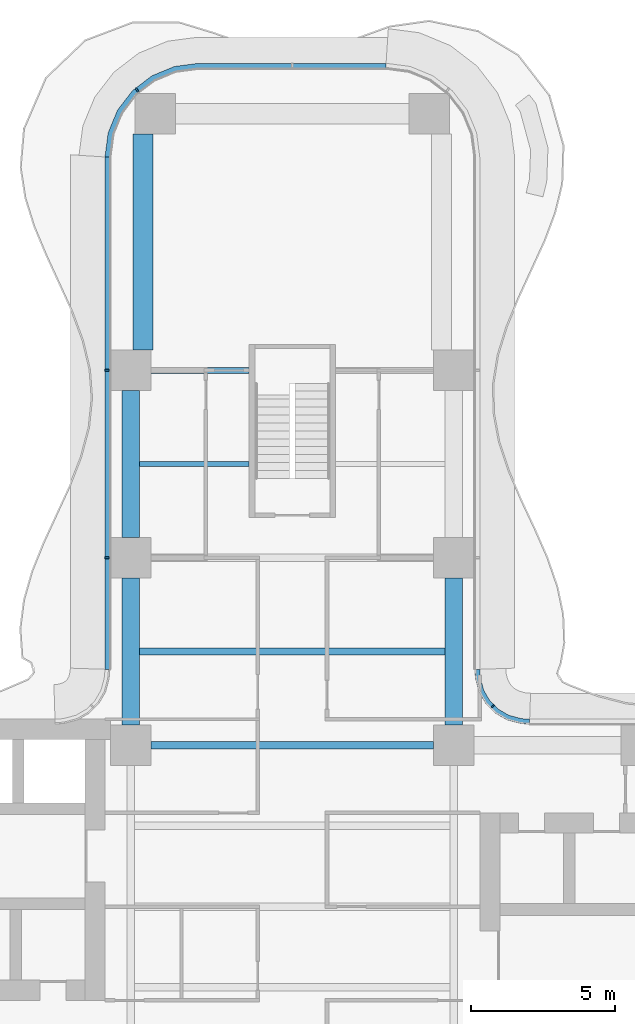
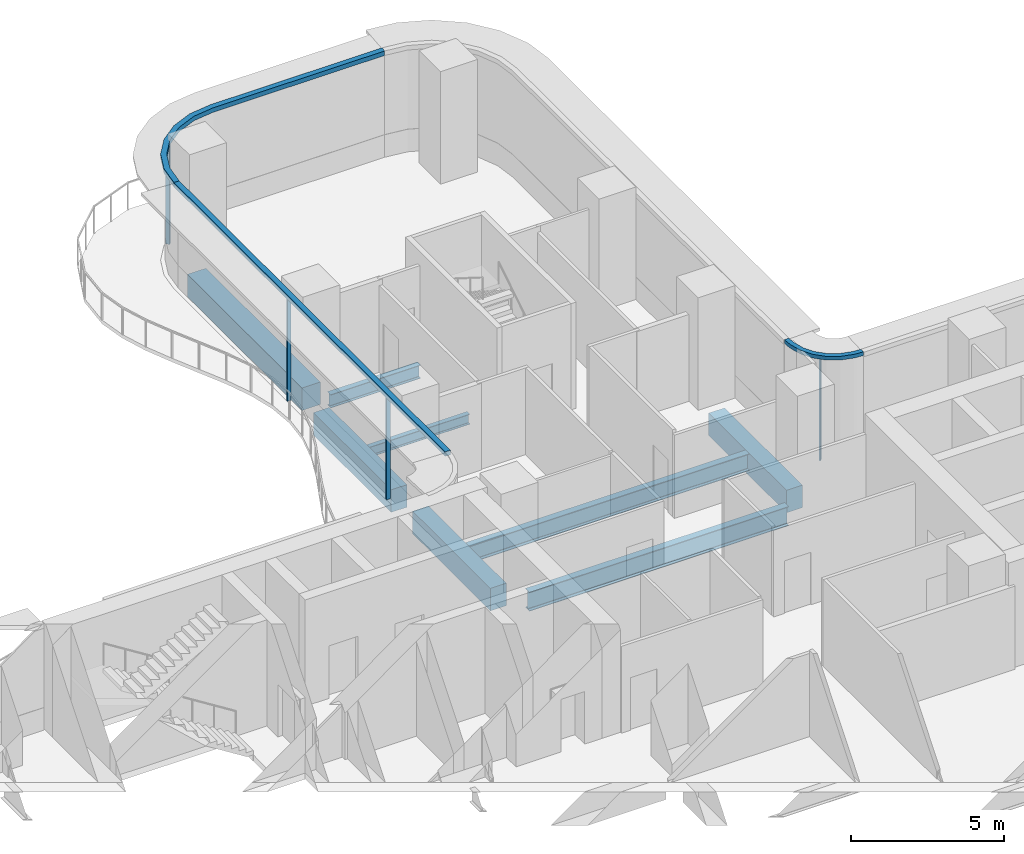
# One storey, part 9 of 22: 8 beams, 7 members, 3 elements without a shape of their own.
"""IFC4 building model written with IfcOpenShell, lengths in metres."""

import ifcopenshell
import ifcopenshell.guid

model = None  # the IFC model being written
_history = None  # IfcOwnerHistory: only IFC2X3 demands one
_inside = {}  # id of a spatial element -> (the spatial element, [elements in it])
_under = {}  # id of a project, library or spatial element -> (it, [spatial elements below it])
_declared = {}  # id of a project -> (the project, [libraries it declares])
_typed = {}  # id of a type object -> (the type object, [elements of that type])
_made_of = {}  # id of a material, layer set ... -> (it, [elements and type objects made of it])


def new_model(schema):
    """Start an empty IFC model of exactly this schema.

    Asked for "IFC4X3", IfcOpenShell would pick the latest addendum, in which some entities
    have other attributes; the version numbers below select the first issue.
    IFC2X3 requires an IfcOwnerHistory on every rooted entity: one is made here for all.
    """
    global model, _history
    if schema == "IFC4X3":
        model = ifcopenshell.file(schema_version=(4, 3, 0, 0))
    else:
        model = ifcopenshell.file(schema=schema)
    _inside.clear()
    _under.clear()
    _declared.clear()
    _typed.clear()
    _made_of.clear()
    _history = None
    if model.schema == "IFC2X3":
        org = make("IfcOrganization", Name="unknown")
        user = make(
            "IfcPersonAndOrganization",
            ThePerson=make("IfcPerson", FamilyName="unknown"),
            TheOrganization=org,
        )
        app = make(
            "IfcApplication",
            ApplicationDeveloper=org,
            Version="unknown",
            ApplicationFullName="unknown",
            ApplicationIdentifier="unknown",
        )
        _history = make(
            "IfcOwnerHistory",
            OwningUser=user,
            OwningApplication=app,
            ChangeAction="ADDED",
            CreationDate=0,
        )
    return model


def make(cls, **values):
    """One entity of the class cls with the attributes given. An attribute that is None is left unset."""
    return model.create_entity(
        cls, **{name: value for name, value in values.items() if value is not None}
    )


def rooted(cls, **values):
    """An entity with a GlobalId (a new one), such as an element, a storey or a relation."""
    return make(cls, GlobalId=ifcopenshell.guid.new(), OwnerHistory=_history, **values)


def si_unit(unit_type, name, prefix=None):
    """IfcSIUnit, for example si_unit("LENGTHUNIT", "METRE", prefix="MILLI")."""
    return make("IfcSIUnit", UnitType=unit_type, Prefix=prefix, Name=name)


def assignment(units):
    """IfcUnitAssignment: the units of a project."""
    return None if units is None else make("IfcUnitAssignment", Units=units)


def point(xyz):
    """IfcCartesianPoint."""
    return None if xyz is None else make("IfcCartesianPoint", Coordinates=xyz)


def direction(xyz):
    """IfcDirection."""
    return None if xyz is None else make("IfcDirection", DirectionRatios=xyz)


def frame(location, z_axis=None, x_axis=None):
    """IfcAxis2Placement3D, a coordinate frame: its origin and axes. An axis left out is left unset."""
    return make(
        "IfcAxis2Placement3D",
        Location=point(location),
        Axis=direction(z_axis),
        RefDirection=direction(x_axis),
    )


def frame_2d(location, x_axis=None):
    """IfcAxis2Placement2D, a coordinate frame in the plane: its origin and x axis."""
    return make(
        "IfcAxis2Placement2D", Location=point(location), RefDirection=direction(x_axis)
    )


def origin():
    """The frame at (0, 0, 0) with its axes left unset."""
    return frame((0.0, 0.0, 0.0))


def origin_2d():
    """The frame at (0, 0) in the plane with its x axis left unset."""
    return frame_2d((0.0, 0.0))


def place(relative_to, where):
    """IfcLocalPlacement: puts the frame where relative to a parent placement (None: the world)."""
    return make(
        "IfcLocalPlacement", PlacementRelTo=relative_to, RelativePlacement=where
    )


def context(
    kind, dimensions, precision=None, world=None, true_north=None, identifier=None
):
    """IfcGeometricRepresentationContext, for example the 3D "Model" context."""
    return make(
        "IfcGeometricRepresentationContext",
        ContextIdentifier=identifier,
        ContextType=kind,
        CoordinateSpaceDimension=dimensions,
        Precision=precision,
        WorldCoordinateSystem=world,
        TrueNorth=true_north,
    )


def subcontext(parent, identifier, kind, view, scale=None):
    """IfcGeometricRepresentationSubContext, for example "Body" below "Model"."""
    return make(
        "IfcGeometricRepresentationSubContext",
        ContextIdentifier=identifier,
        ContextType=kind,
        ParentContext=parent,
        TargetScale=scale,
        TargetView=view,
    )


def project(units=None, contexts=None):
    """IfcProject with its units and contexts."""
    return rooted(
        "IfcProject",
        Name="project",
        RepresentationContexts=contexts,
        UnitsInContext=assignment(units),
    )


def spatial(cls, under=None, at=None, **own):
    """A site, building, storey or space (cls), placed at a placement, below another one or the project."""
    s = rooted(cls, ObjectPlacement=at, **own)
    if under is not None:
        _under.setdefault(under.id(), (under, []))[1].append(s)
    return s


def polyline(points):
    """IfcPolyline through the points."""
    return make("IfcPolyline", Points=[point(p) for p in points])


def profile(cls, at=None, kind="AREA", **sizes):
    """A parametric profile (cls). Its sizes go by their IFC names, for example OverallWidth=200.0."""
    return make(cls, ProfileType=kind, Position=at, **sizes)


def rectangle(**sizes):
    """IfcRectangleProfileDef."""
    return profile("IfcRectangleProfileDef", **sizes)


def i_section(**sizes):
    """IfcIShapeProfileDef."""
    return profile("IfcIShapeProfileDef", **sizes)


def outline(outer, holes=None, kind="AREA"):
    """IfcArbitraryClosedProfileDef: a profile drawn as a closed curve; with holes, ...WithVoids."""
    if holes is None:
        return make("IfcArbitraryClosedProfileDef", ProfileType=kind, OuterCurve=outer)
    return make(
        "IfcArbitraryProfileDefWithVoids",
        ProfileType=kind,
        OuterCurve=outer,
        InnerCurves=holes,
    )


def extrude(swept, where, along, depth):
    """IfcExtrudedAreaSolid: the profile swept, set in the frame where, extruded along a direction by depth."""
    return make(
        "IfcExtrudedAreaSolid",
        SweptArea=swept,
        Position=where,
        ExtrudedDirection=direction(along),
        Depth=depth,
    )


def shape(context_of_items, identifier, shape_type, items):
    """IfcShapeRepresentation: the items that make up one representation, for example the "Body"."""
    return make(
        "IfcShapeRepresentation",
        ContextOfItems=context_of_items,
        RepresentationIdentifier=identifier,
        RepresentationType=shape_type,
        Items=items,
    )


def source(mapping_origin, context_of_items, identifier, shape_type, items):
    """IfcRepresentationMap: a shape defined once, which mapped items show again and again."""
    return make(
        "IfcRepresentationMap",
        MappingOrigin=mapping_origin,
        MappedRepresentation=shape(context_of_items, identifier, shape_type, items),
    )


def transform(
    local_origin,
    x_axis=None,
    y_axis=None,
    z_axis=None,
    scale=None,
    scale2=None,
    scale3=None,
    uniform=True,
):
    """IfcCartesianTransformationOperator3D, or its non-uniform kind. x_axis, y_axis, z_axis: its Axis1, 2, 3."""
    if uniform:
        return make(
            "IfcCartesianTransformationOperator3D",
            Axis1=direction(x_axis),
            Axis2=direction(y_axis),
            LocalOrigin=point(local_origin),
            Scale=scale,
            Axis3=direction(z_axis),
        )
    return make(
        "IfcCartesianTransformationOperator3DnonUniform",
        Axis1=direction(x_axis),
        Axis2=direction(y_axis),
        LocalOrigin=point(local_origin),
        Scale=scale,
        Axis3=direction(z_axis),
        Scale2=scale2,
        Scale3=scale3,
    )


def mapped(mapping_source, mapping_target):
    """IfcMappedItem: shows the shape of a source again, moved by a transform."""
    return make(
        "IfcMappedItem", MappingSource=mapping_source, MappingTarget=mapping_target
    )


def material(Name=None, Category=None):
    """IfcMaterial."""
    return make("IfcMaterial", Name=Name, Category=Category)


def layer(
    of_material, thickness, ventilated=None, Name=None, Category=None, Priority=None
):
    """IfcMaterialLayer: one layer of a wall or slab, of a material (None: an air gap)."""
    return make(
        "IfcMaterialLayer",
        Material=of_material,
        LayerThickness=thickness,
        IsVentilated=ventilated,
        Name=Name,
        Category=Category,
        Priority=Priority,
    )


def layer_set(layers, Name=None):
    """IfcMaterialLayerSet."""
    return make("IfcMaterialLayerSet", MaterialLayers=layers, LayerSetName=Name)


def material_profile(
    of_material, cross_section, Name=None, Category=None, Priority=None
):
    """IfcMaterialProfile: a cross section and its material."""
    return make(
        "IfcMaterialProfile",
        Name=Name,
        Material=of_material,
        Profile=cross_section,
        Priority=Priority,
        Category=Category,
    )


def profile_set(profiles, Name=None, composite=None):
    """IfcMaterialProfileSet."""
    return make(
        "IfcMaterialProfileSet",
        Name=Name,
        MaterialProfiles=profiles,
        CompositeProfile=composite,
    )


def made_of(thing, what):
    """Note that an element or type object is made of a material, layer set ...; save() writes the relation."""
    if what is not None:
        _made_of.setdefault(what.id(), (what, []))[1].append(thing)
    return thing


def type_object(cls, material=None, **own):
    """A type object (cls), such as IfcWallType, which elements share."""
    return made_of(rooted(cls, **own), material)


def element(
    cls,
    number,
    at=None,
    inside=None,
    cuts=None,
    type_object=None,
    material=None,
    context=None,
    identifier="Body",
    shape_type=None,
    held_by="IfcProductDefinitionShape",
    body=None,
    shapes=None,
    **own,
):
    """One element of the class cls, such as IfcWall. Its Tag is "e" and its number.

    at: its placement. inside: the storey or other place that contains it. cuts: it is an
    opening in that element (IfcRelVoidsElement). A single representation is given by context,
    identifier, shape_type and body (its items); several are given by shapes. held_by: the class
    of the entity that holds the representations. save() writes the other relations.
    """
    e = rooted(cls, Tag="e%d" % number, ObjectPlacement=at, **own)
    if body is not None:
        shapes = [shape(context, identifier, shape_type, body)]
    if shapes is not None:
        e.Representation = make(held_by, Representations=shapes)
    if inside is not None:
        _inside.setdefault(inside.id(), (inside, []))[1].append(e)
    if cuts is not None:
        rooted(
            "IfcRelVoidsElement", RelatingBuildingElement=cuts, RelatedOpeningElement=e
        )
    if type_object is not None:
        _typed.setdefault(type_object.id(), (type_object, []))[1].append(e)
    return made_of(e, material)


def aggregate(whole, parts):
    """IfcRelAggregates: a whole, such as a stair, and the parts it consists of."""
    return rooted("IfcRelAggregates", RelatingObject=whole, RelatedObjects=parts)


def save(model, path):
    """Write the relations noted so far, then the file.

    IfcRelAggregates (storeys below a building ...), IfcRelContainedInSpatialStructure (elements
    in a storey), IfcRelDefinesByType, IfcRelAssociatesMaterial and IfcRelDeclares: one each for
    every whole, place, type object, material and project.
    """
    for whole, parts in _under.values():
        aggregate(whole, parts)
    for where, things in _inside.values():
        rooted(
            "IfcRelContainedInSpatialStructure",
            RelatedElements=things,
            RelatingStructure=where,
        )
    for kind, things in _typed.values():
        rooted("IfcRelDefinesByType", RelatedObjects=things, RelatingType=kind)
    for what, things in _made_of.values():
        rooted("IfcRelAssociatesMaterial", RelatedObjects=things, RelatingMaterial=what)
    for by, libraries in _declared.values():
        rooted("IfcRelDeclares", RelatingContext=by, RelatedDefinitions=libraries)
    model.write(path)


model = new_model("IFC4")

# Units and contexts
model_context = context("Model", 3, precision=1e-05, world=origin(), true_north=direction((0.0, 1.0)))
body_context = subcontext(model_context, "Body", "Model", "MODEL_VIEW")
ifc_project = project(units=[si_unit("LENGTHUNIT", "METRE"), si_unit("AREAUNIT", "SQUARE_METRE"), si_unit("VOLUMEUNIT", "CUBIC_METRE"), si_unit("PLANEANGLEUNIT", "RADIAN"), si_unit("MASSUNIT", "GRAM", prefix="KILO")], contexts=[model_context])

# Site, building, storey
site_placement = place(None, origin())
site = spatial("IfcSite", under=ifc_project, at=site_placement, CompositionType="ELEMENT")
building_placement = place(site_placement, origin())
building = spatial("IfcBuilding", under=site, at=building_placement, Name="Trellis Farm Tower", CompositionType="ELEMENT")
storey_placement = place(building_placement, frame((0.0, 0.0, 43.0)))
storey = spatial("IfcBuildingStorey", under=building, at=storey_placement, Name="L08", CompositionType="ELEMENT", Elevation=43.0)

# Beams
ifc_material_1 = material(Name="Steel S355", Category="steel")
ifc_material_profile_1 = material_profile(ifc_material_1, i_section(OverallWidth=0.209228515625, OverallDepth=0.533203125, WebThickness=0.010009765625, FlangeThickness=0.015625, FilletRadius=0.0126953125, at=origin_2d()), Name="UB 533x210x92")
ifc_profile_set_1 = profile_set([ifc_material_profile_1], Name="Steel S355")
beam_type_1 = type_object("IfcBeamType", Name="UB 533x210x92", PredefinedType="BEAM", material=ifc_profile_set_1)
shared_shape_1 = source(origin(), body_context, "Body", "SweptSolid", [
    extrude(i_section(OverallWidth=0.209228515625, OverallDepth=0.533203125, WebThickness=0.010009765625, FlangeThickness=0.015625, FilletRadius=0.0126953125, at=origin_2d()), origin(), (0.0, 0.0, 1.0), 3.39990234375),
])
beam_1_placement = place(storey_placement, frame((-4.89990234375, 18.60009765625, -0.5166015625), z_axis=(1.0, 0.0, 0.0), x_axis=(0.0, 1.0, 0.0)))
element("IfcBeam", 1, at=beam_1_placement, inside=storey, type_object=beam_type_1, Name="Girder", PredefinedType="BEAM", context=body_context, shape_type="MappedRepresentation", body=[
    mapped(shared_shape_1, transform((0.0, 0.0, 0.0))),
])
ifc_material_2 = material(Name="Concrete C60/75", Category="concrete")
ifc_material_profile_2 = material_profile(ifc_material_2, rectangle(XDim=0.60009765625, YDim=0.89990234375, at=origin_2d()), Name="RC spandrel beam 600x900 C60/75")
ifc_profile_set_2 = profile_set([ifc_material_profile_2], Name="Concrete C60/75")
beam_type_2 = type_object("IfcBeamType", Name="RC spandrel beam 600x900 C60/75", PredefinedType="SPANDREL", material=ifc_profile_set_2)
shared_shape_2 = source(origin(), body_context, "Body", "SweptSolid", [
    extrude(rectangle(XDim=0.60009765625, YDim=0.89990234375, at=origin_2d()), origin(), (0.0, 0.0, 1.0), 5.099853515625),
])
for number, where, z_axis, x_axis, name in (
    (2, (-5.60009765625, 6.300048828125, -0.699951171875), (0.0, 1.0, 0.0), (-1.0, 0.0, 0.0), "Girder"),
    (3, (-5.60009765625, 12.800048828125, -0.699951171875), (0.0, 1.0, 0.0), (-1.0, 0.0, 0.0), "Girder"),
    (4, (5.60009765625, 6.300048828125, -0.699951171875), (0.0, 1.0, 0.0), (-1.0, 0.0, 0.0), "Girder"),
):
    element("IfcBeam", number, at=place(storey_placement, frame(where, z_axis=z_axis, x_axis=x_axis)), inside=storey, type_object=beam_type_2, Name=name, PredefinedType="SPANDREL", context=body_context, shape_type="MappedRepresentation", body=[
        mapped(shared_shape_2, transform((0.0, 0.0, 0.0))),
    ])
ifc_material_profile_3 = material_profile(ifc_material_1, i_section(OverallWidth=0.2666015625, OverallDepth=0.76220703125, WebThickness=0.014404296875, FlangeThickness=0.021484375, FilletRadius=0.0166015625, at=origin_2d()), Name="UB 762x267x173")
ifc_profile_set_3 = profile_set([ifc_material_profile_3], Name="Steel S355")
beam_type_3 = type_object("IfcBeamType", Name="UB 762x267x173", PredefinedType="BEAM", material=ifc_profile_set_3)
shared_shape_3 = source(origin(), body_context, "Body", "SweptSolid", [
    extrude(i_section(OverallWidth=0.2666015625, OverallDepth=0.76220703125, WebThickness=0.014404296875, FlangeThickness=0.021484375, FilletRadius=0.0166015625, at=origin_2d()), origin(), (0.0, 0.0, 1.0), 9.7998046875),
])
beam_2_placement = place(storey_placement, frame((-4.89990234375, 5.60009765625, -0.631103515625), z_axis=(1.0, 0.0, 0.0), x_axis=(0.0, 1.0, 0.0)))
element("IfcBeam", 5, at=beam_2_placement, inside=storey, type_object=beam_type_3, Name="Girder", PredefinedType="BEAM", context=body_context, shape_type="MappedRepresentation", body=[
    mapped(shared_shape_3, transform((0.0, 0.0, 0.0))),
])
ifc_material_profile_4 = material_profile(ifc_material_2, rectangle(XDim=0.699951171875, YDim=0.89990234375, at=origin_2d()), Name="RC spandrel beam 700x900 C60/75")
ifc_profile_set_4 = profile_set([ifc_material_profile_4], Name="Concrete C60/75")
beam_type_4 = type_object("IfcBeamType", Name="RC spandrel beam 700x900 C60/75", PredefinedType="SPANDREL", material=ifc_profile_set_4)
shared_shape_4 = source(origin(), body_context, "Body", "SweptSolid", [
    extrude(rectangle(XDim=0.699951171875, YDim=0.89990234375, at=origin_2d()), origin(), (0.0, 0.0, 1.0), 7.5),
])
beam_3_placement = place(storey_placement, frame((-5.175048828125, 19.300048828125, -0.699951171875), z_axis=(0.0, 1.0, 0.0), x_axis=(-1.0, 0.0, 0.0)))
element("IfcBeam", 6, at=beam_3_placement, inside=storey, type_object=beam_type_4, Name="Girder", PredefinedType="SPANDREL", context=body_context, shape_type="MappedRepresentation", body=[
    mapped(shared_shape_4, transform((0.0, 0.0, 0.0))),
])
ifc_material_profile_5 = material_profile(ifc_material_1, i_section(OverallWidth=0.177978515625, OverallDepth=0.406494140625, WebThickness=0.0078125, FlangeThickness=0.0126953125, FilletRadius=0.01025390625, at=origin_2d()), Name="UB 406x178x60")
ifc_profile_set_5 = profile_set([ifc_material_profile_5], Name="Steel S355")
beam_type_5 = type_object("IfcBeamType", Name="UB 406x178x60 joist", PredefinedType="JOIST", material=ifc_profile_set_5)
shared_shape_5 = source(origin(), body_context, "Body", "SweptSolid", [
    extrude(i_section(OverallWidth=0.177978515625, OverallDepth=0.406494140625, WebThickness=0.0078125, FlangeThickness=0.0126953125, FilletRadius=0.01025390625, at=origin_2d()), origin(), (0.0, 0.0, 1.0), 3.800048828125),
])
beam_4_placement = place(storey_placement, frame((-5.300048828125, 15.35009765625, -0.453125), z_axis=(1.0, 0.0, 0.0), x_axis=(0.0, 1.0, 0.0)))
element("IfcBeam", 7, at=beam_4_placement, inside=storey, type_object=beam_type_5, Name="Floor beam", PredefinedType="JOIST", context=body_context, shape_type="MappedRepresentation", body=[
    mapped(shared_shape_5, transform((0.0, 0.0, 0.0))),
])
ifc_material_profile_6 = material_profile(ifc_material_1, i_section(OverallWidth=0.253662109375, OverallDepth=0.68359375, WebThickness=0.012451171875, FlangeThickness=0.021728515625, FilletRadius=0.01513671875, at=origin_2d()), Name="UB 686x254x140")
ifc_profile_set_6 = profile_set([ifc_material_profile_6], Name="Steel S355")
beam_type_6 = type_object("IfcBeamType", Name="UB 686x254x140 joist", PredefinedType="JOIST", material=ifc_profile_set_6)
shared_shape_6 = source(origin(), body_context, "Body", "SweptSolid", [
    extrude(i_section(OverallWidth=0.253662109375, OverallDepth=0.68359375, WebThickness=0.012451171875, FlangeThickness=0.021728515625, FilletRadius=0.01513671875, at=origin_2d()), origin(), (0.0, 0.0, 1.0), 10.60009765625),
])
beam_5_placement = place(storey_placement, frame((-5.300048828125, 8.85009765625, -0.591796875), z_axis=(1.0, 0.0, 0.0), x_axis=(0.0, 1.0, 0.0)))
element("IfcBeam", 8, at=beam_5_placement, inside=storey, type_object=beam_type_6, Name="Floor beam", PredefinedType="JOIST", context=body_context, shape_type="MappedRepresentation", body=[
    mapped(shared_shape_6, transform((0.0, 0.0, 0.0))),
])

# Curtain wall, member
ifc_material_3 = material(Name="Aluminium and glass curtain wall", Category="aluminium")
ifc_layer_1 = layer(ifc_material_3, 0.18994140625)
ifc_layer_set_1 = layer_set([ifc_layer_1], Name="RIBBON CURTAIN WALL CW1")
curtain_wall_type_1 = type_object("IfcCurtainWallType", Name="RIBBON CURTAIN WALL CW1", PredefinedType="NOTDEFINED", material=ifc_layer_set_1)
placement_1 = place(storey_placement, origin())
curtain_wall_1 = element("IfcCurtainWall", 9, at=placement_1, inside=storey, type_object=curtain_wall_type_1, Name="CW1 010", PredefinedType="NOTDEFINED")
ifc_material_4 = material(Name="Aluminium extrusion 6063-T6", Category="aluminium")
ifc_material_profile_7 = material_profile(ifc_material_4, rectangle(XDim=0.06005859375, YDim=0.14990234375, at=origin_2d()), Name="MULLION 60x150")
ifc_profile_set_7 = profile_set([ifc_material_profile_7], Name="Aluminium extrusion 6063-T6")
member_type_1 = type_object("IfcMemberType", Name="CW1 MULLION 60x150", PredefinedType="MULLION", material=ifc_profile_set_7)
shared_shape_7 = source(origin(), body_context, "Body", "SweptSolid", [
    extrude(rectangle(XDim=0.06005859375, YDim=0.14990234375, at=origin_2d()), origin(), (0.0, 0.0, 1.0), 4.070068359375),
])
member_1_placement = place(storey_placement, frame((-5.385498046875, 28.328369140625, 0.0), z_axis=(0.0, 0.0, 1.0), x_axis=(-0.793353340291, -0.608761429009, 0.0)))
member_1 = element("IfcMember", 10, at=member_1_placement, type_object=member_type_1, Name="MU1 010-02", PredefinedType="MULLION", context=body_context, shape_type="MappedRepresentation", body=[
    mapped(shared_shape_7, transform((0.0, 0.0, 0.0))),
])

# Curtain wall, members
curtain_wall_2 = element("IfcCurtainWall", 11, at=placement_1, inside=storey, type_object=curtain_wall_type_1, Name="CW1 011", PredefinedType="NOTDEFINED")
member_2_placement = place(storey_placement, frame((-6.425048828125, 18.60009765625, 0.0), z_axis=(0.0, 0.0, 1.0), x_axis=(0.0, -1.0, 0.0)))
member_2 = element("IfcMember", 12, at=member_2_placement, type_object=member_type_1, Name="MU1 011-01", PredefinedType="MULLION", context=body_context, shape_type="MappedRepresentation", body=[
    mapped(shared_shape_7, transform((0.0, 0.0, 0.0))),
])
member_3_placement = place(storey_placement, frame((-6.425048828125, 12.10009765625, 0.0), z_axis=(0.0, 0.0, 1.0), x_axis=(0.0, -1.0, 0.0)))
member_3 = element("IfcMember", 13, at=member_3_placement, type_object=member_type_1, Name="MU1 011-02", PredefinedType="MULLION", context=body_context, shape_type="MappedRepresentation", body=[
    mapped(shared_shape_7, transform((0.0, 0.0, 0.0))),
])

ifc_layer_2 = layer(ifc_material_3, 0.166015625)
ifc_layer_set_2 = layer_set([ifc_layer_2], Name="WINTER GARDEN CURTAIN WALL CW3")
curtain_wall_type_2 = type_object("IfcCurtainWallType", Name="WINTER GARDEN CURTAIN WALL CW3", PredefinedType="NOTDEFINED", material=ifc_layer_set_2)
curtain_wall_3 = element("IfcCurtainWall", 14, at=placement_1, inside=storey, type_object=curtain_wall_type_2, Name="CW3 003", PredefinedType="NOTDEFINED")
ifc_material_profile_8 = material_profile(ifc_material_4, rectangle(XDim=0.050048828125, YDim=0.1201171875, at=origin_2d()), Name="MULLION 50x120")
ifc_profile_set_8 = profile_set([ifc_material_profile_8], Name="Aluminium extrusion 6063-T6")
member_type_2 = type_object("IfcMemberType", Name="CW3 MULLION 50x120", PredefinedType="MULLION", material=ifc_profile_set_8)
shared_shape_8 = source(origin(), body_context, "Body", "SweptSolid", [
    extrude(rectangle(XDim=0.050048828125, YDim=0.1201171875, at=origin_2d()), origin(), (0.0, 0.0, 1.0), 4.10009765625),
])
member_4_placement = place(storey_placement, frame((6.953125, 6.953125, 0.0), z_axis=(0.0, 0.0, 1.0), x_axis=(-0.707106781187, 0.707106781187, 0.0)))
member_4 = element("IfcMember", 15, at=member_4_placement, type_object=member_type_2, Name="MU3 003-01", PredefinedType="MULLION", context=body_context, shape_type="MappedRepresentation", body=[
    mapped(shared_shape_8, transform((0.0, 0.0, 0.0))),
])
ifc_layer_3 = layer(ifc_material_4, 0.169921875)
ifc_layer_set_3 = layer_set([ifc_layer_3], Name="Aluminium extrusion 6063-T6")
member_type_3 = type_object("IfcMemberType", Name="CW3 TRANSOM 170x150", PredefinedType="USERDEFINED", material=ifc_layer_set_3)
shared_shape_9 = source(origin(), body_context, "Body", "SweptSolid", [
    extrude(outline(polyline([(8.2314453125, 6.5), (8.01953125, 6.513916015625), (7.91552734375, 6.527587890625), (7.508544921875, 6.63671875), (7.144287109375, 6.846923828125), (6.846923828125, 7.144287109375), (6.63671875, 7.508544921875), (6.527587890625, 7.91552734375), (6.513916015625, 8.01953125), (6.5, 8.2314453125), (6.330078125, 8.225830078125), (6.3447265625, 8.0029296875), (6.360595703125, 7.88232421875), (6.478271484375, 7.44287109375), (6.7109375, 7.0400390625), (7.0400390625, 6.7109375), (7.44287109375, 6.478271484375), (7.88232421875, 6.360595703125), (8.0029296875, 6.3447265625), (8.225830078125, 6.330078125), (8.2314453125, 6.5)])), origin(), (0.0, 0.0, 1.0), 0.14990234375),
])
member_5_placement = place(storey_placement, frame((0.0, 0.0, 4.10009765625)))
member_5 = element("IfcMember", 16, at=member_5_placement, type_object=member_type_3, Name="TR3 003", ObjectType="TRANSOM", PredefinedType="USERDEFINED", context=body_context, shape_type="MappedRepresentation", body=[
    mapped(shared_shape_9, transform((0.0, 0.0, 0.0))),
])
aggregate(curtain_wall_3, [member_4, member_5])

# Member
ifc_layer_4 = layer(ifc_material_4, 0.199951171875)
ifc_layer_set_4 = layer_set([ifc_layer_4], Name="Aluminium extrusion 6063-T6")
member_type_4 = type_object("IfcMemberType", Name="CW1 TRANSOM 200x180", PredefinedType="USERDEFINED", material=ifc_layer_set_4)
shared_shape_10 = source(origin(), body_context, "Body", "SweptSolid", [
    extrude(outline(polyline([(3.25, 29.25), (-3.25, 29.25), (-4.091064453125, 29.13916015625), (-4.875, 28.814697265625), (-5.548095703125, 28.298095703125), (-6.064697265625, 27.625), (-6.38916015625, 26.841064453125), (-6.5, 26.0), (-6.300048828125, 25.98681640625), (-6.1943359375, 26.7890625), (-5.889892578125, 27.524169921875), (-5.405517578125, 28.155517578125), (-4.774169921875, 28.639892578125), (-4.0390625, 28.9443359375), (-3.23681640625, 29.050048828125), (3.23681640625, 29.050048828125), (3.25, 29.25)])), origin(), (0.0, 0.0, 1.0), 0.179931640625),
])
placement_2 = place(storey_placement, frame((0.0, 0.0, 4.070068359375)))
member_6 = element("IfcMember", 17, at=placement_2, type_object=member_type_4, Name="TR1 010", ObjectType="TRANSOM", PredefinedType="USERDEFINED", context=body_context, shape_type="MappedRepresentation", body=[
    mapped(shared_shape_10, transform((0.0, 0.0, 0.0))),
])

aggregate(curtain_wall_1, [member_1, member_6])

shared_shape_11 = source(origin(), body_context, "Body", "SweptSolid", [
    extrude(outline(polyline([(-6.5, 26.0), (-6.5, 8.2314453125), (-6.300048828125, 8.224853515625), (-6.300048828125, 25.98681640625), (-6.5, 26.0)])), origin(), (0.0, 0.0, 1.0), 0.179931640625),
])
member_7 = element("IfcMember", 18, at=placement_2, type_object=member_type_4, Name="TR1 011", ObjectType="TRANSOM", PredefinedType="USERDEFINED", context=body_context, shape_type="MappedRepresentation", body=[
    mapped(shared_shape_11, transform((0.0, 0.0, 0.0))),
])

aggregate(curtain_wall_2, [member_2, member_3, member_7])

save(model, "model.ifc")
